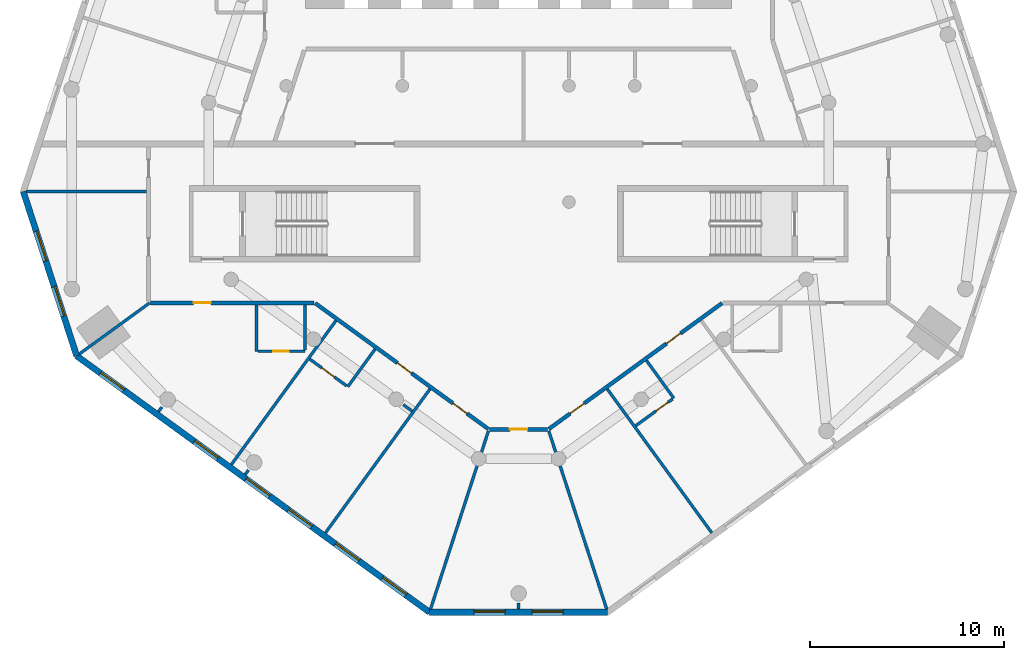
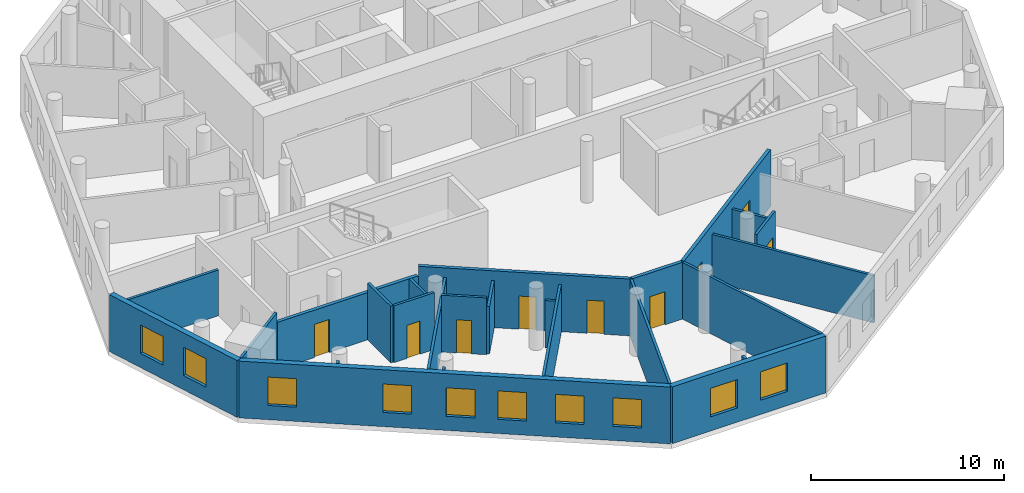
# One storey, part 2 of 9: 25 walls, 10 windows, 9 doors, 19 openings.
"""IFC4 building model written with IfcOpenShell, lengths in metres."""

import ifcopenshell
import ifcopenshell.guid

model = None  # the IFC model being written
_history = None  # IfcOwnerHistory: only IFC2X3 demands one
_inside = {}  # id of a spatial element -> (the spatial element, [elements in it])
_under = {}  # id of a project, library or spatial element -> (it, [spatial elements below it])
_declared = {}  # id of a project -> (the project, [libraries it declares])
_typed = {}  # id of a type object -> (the type object, [elements of that type])
_made_of = {}  # id of a material, layer set ... -> (it, [elements and type objects made of it])


def new_model(schema):
    """Start an empty IFC model of exactly this schema.

    Asked for "IFC4X3", IfcOpenShell would pick the latest addendum, in which some entities
    have other attributes; the version numbers below select the first issue.
    IFC2X3 requires an IfcOwnerHistory on every rooted entity: one is made here for all.
    """
    global model, _history
    if schema == "IFC4X3":
        model = ifcopenshell.file(schema_version=(4, 3, 0, 0))
    else:
        model = ifcopenshell.file(schema=schema)
    _inside.clear()
    _under.clear()
    _declared.clear()
    _typed.clear()
    _made_of.clear()
    _history = None
    if model.schema == "IFC2X3":
        org = make("IfcOrganization", Name="unknown")
        user = make(
            "IfcPersonAndOrganization",
            ThePerson=make("IfcPerson", FamilyName="unknown"),
            TheOrganization=org,
        )
        app = make(
            "IfcApplication",
            ApplicationDeveloper=org,
            Version="unknown",
            ApplicationFullName="unknown",
            ApplicationIdentifier="unknown",
        )
        _history = make(
            "IfcOwnerHistory",
            OwningUser=user,
            OwningApplication=app,
            ChangeAction="ADDED",
            CreationDate=0,
        )
    return model


def make(cls, **values):
    """One entity of the class cls with the attributes given. An attribute that is None is left unset."""
    return model.create_entity(
        cls, **{name: value for name, value in values.items() if value is not None}
    )


def rooted(cls, **values):
    """An entity with a GlobalId (a new one), such as an element, a storey or a relation."""
    return make(cls, GlobalId=ifcopenshell.guid.new(), OwnerHistory=_history, **values)


def si_unit(unit_type, name, prefix=None):
    """IfcSIUnit, for example si_unit("LENGTHUNIT", "METRE", prefix="MILLI")."""
    return make("IfcSIUnit", UnitType=unit_type, Prefix=prefix, Name=name)


def assignment(units):
    """IfcUnitAssignment: the units of a project."""
    return None if units is None else make("IfcUnitAssignment", Units=units)


def point(xyz):
    """IfcCartesianPoint."""
    return None if xyz is None else make("IfcCartesianPoint", Coordinates=xyz)


def direction(xyz):
    """IfcDirection."""
    return None if xyz is None else make("IfcDirection", DirectionRatios=xyz)


def frame(location, z_axis=None, x_axis=None):
    """IfcAxis2Placement3D, a coordinate frame: its origin and axes. An axis left out is left unset."""
    return make(
        "IfcAxis2Placement3D",
        Location=point(location),
        Axis=direction(z_axis),
        RefDirection=direction(x_axis),
    )


def frame_2d(location, x_axis=None):
    """IfcAxis2Placement2D, a coordinate frame in the plane: its origin and x axis."""
    return make(
        "IfcAxis2Placement2D", Location=point(location), RefDirection=direction(x_axis)
    )


def origin():
    """The frame at (0, 0, 0) with its axes left unset."""
    return frame((0.0, 0.0, 0.0))


def place(relative_to, where):
    """IfcLocalPlacement: puts the frame where relative to a parent placement (None: the world)."""
    return make(
        "IfcLocalPlacement", PlacementRelTo=relative_to, RelativePlacement=where
    )


def context(
    kind, dimensions, precision=None, world=None, true_north=None, identifier=None
):
    """IfcGeometricRepresentationContext, for example the 3D "Model" context."""
    return make(
        "IfcGeometricRepresentationContext",
        ContextIdentifier=identifier,
        ContextType=kind,
        CoordinateSpaceDimension=dimensions,
        Precision=precision,
        WorldCoordinateSystem=world,
        TrueNorth=true_north,
    )


def subcontext(parent, identifier, kind, view, scale=None):
    """IfcGeometricRepresentationSubContext, for example "Body" below "Model"."""
    return make(
        "IfcGeometricRepresentationSubContext",
        ContextIdentifier=identifier,
        ContextType=kind,
        ParentContext=parent,
        TargetScale=scale,
        TargetView=view,
    )


def project(units=None, contexts=None):
    """IfcProject with its units and contexts."""
    return rooted(
        "IfcProject",
        Name="project",
        RepresentationContexts=contexts,
        UnitsInContext=assignment(units),
    )


def spatial(cls, under=None, at=None, **own):
    """A site, building, storey or space (cls), placed at a placement, below another one or the project."""
    s = rooted(cls, ObjectPlacement=at, **own)
    if under is not None:
        _under.setdefault(under.id(), (under, []))[1].append(s)
    return s


def profile(cls, at=None, kind="AREA", **sizes):
    """A parametric profile (cls). Its sizes go by their IFC names, for example OverallWidth=200.0."""
    return make(cls, ProfileType=kind, Position=at, **sizes)


def rectangle(**sizes):
    """IfcRectangleProfileDef."""
    return profile("IfcRectangleProfileDef", **sizes)


def extrude(swept, where, along, depth):
    """IfcExtrudedAreaSolid: the profile swept, set in the frame where, extruded along a direction by depth."""
    return make(
        "IfcExtrudedAreaSolid",
        SweptArea=swept,
        Position=where,
        ExtrudedDirection=direction(along),
        Depth=depth,
    )


def shape(context_of_items, identifier, shape_type, items):
    """IfcShapeRepresentation: the items that make up one representation, for example the "Body"."""
    return make(
        "IfcShapeRepresentation",
        ContextOfItems=context_of_items,
        RepresentationIdentifier=identifier,
        RepresentationType=shape_type,
        Items=items,
    )


def material(Name=None, Category=None):
    """IfcMaterial."""
    return make("IfcMaterial", Name=Name, Category=Category)


def layer(
    of_material, thickness, ventilated=None, Name=None, Category=None, Priority=None
):
    """IfcMaterialLayer: one layer of a wall or slab, of a material (None: an air gap)."""
    return make(
        "IfcMaterialLayer",
        Material=of_material,
        LayerThickness=thickness,
        IsVentilated=ventilated,
        Name=Name,
        Category=Category,
        Priority=Priority,
    )


def layer_set(layers, Name=None):
    """IfcMaterialLayerSet."""
    return make("IfcMaterialLayerSet", MaterialLayers=layers, LayerSetName=Name)


def made_of(thing, what):
    """Note that an element or type object is made of a material, layer set ...; save() writes the relation."""
    if what is not None:
        _made_of.setdefault(what.id(), (what, []))[1].append(thing)
    return thing


def type_object(cls, material=None, **own):
    """A type object (cls), such as IfcWallType, which elements share."""
    return made_of(rooted(cls, **own), material)


def element(
    cls,
    number,
    at=None,
    inside=None,
    cuts=None,
    type_object=None,
    material=None,
    context=None,
    identifier="Body",
    shape_type=None,
    held_by="IfcProductDefinitionShape",
    body=None,
    shapes=None,
    **own,
):
    """One element of the class cls, such as IfcWall. Its Tag is "e" and its number.

    at: its placement. inside: the storey or other place that contains it. cuts: it is an
    opening in that element (IfcRelVoidsElement). A single representation is given by context,
    identifier, shape_type and body (its items); several are given by shapes. held_by: the class
    of the entity that holds the representations. save() writes the other relations.
    """
    e = rooted(cls, Tag="e%d" % number, ObjectPlacement=at, **own)
    if body is not None:
        shapes = [shape(context, identifier, shape_type, body)]
    if shapes is not None:
        e.Representation = make(held_by, Representations=shapes)
    if inside is not None:
        _inside.setdefault(inside.id(), (inside, []))[1].append(e)
    if cuts is not None:
        rooted(
            "IfcRelVoidsElement", RelatingBuildingElement=cuts, RelatedOpeningElement=e
        )
    if type_object is not None:
        _typed.setdefault(type_object.id(), (type_object, []))[1].append(e)
    return made_of(e, material)


def fill(opening, filler):
    """IfcRelFillsElement: the door or window that sits in an opening."""
    return rooted(
        "IfcRelFillsElement",
        RelatingOpeningElement=opening,
        RelatedBuildingElement=filler,
    )


def aggregate(whole, parts):
    """IfcRelAggregates: a whole, such as a stair, and the parts it consists of."""
    return rooted("IfcRelAggregates", RelatingObject=whole, RelatedObjects=parts)


def save(model, path):
    """Write the relations noted so far, then the file.

    IfcRelAggregates (storeys below a building ...), IfcRelContainedInSpatialStructure (elements
    in a storey), IfcRelDefinesByType, IfcRelAssociatesMaterial and IfcRelDeclares: one each for
    every whole, place, type object, material and project.
    """
    for whole, parts in _under.values():
        aggregate(whole, parts)
    for where, things in _inside.values():
        rooted(
            "IfcRelContainedInSpatialStructure",
            RelatedElements=things,
            RelatingStructure=where,
        )
    for kind, things in _typed.values():
        rooted("IfcRelDefinesByType", RelatedObjects=things, RelatingType=kind)
    for what, things in _made_of.values():
        rooted("IfcRelAssociatesMaterial", RelatedObjects=things, RelatingMaterial=what)
    for by, libraries in _declared.values():
        rooted("IfcRelDeclares", RelatingContext=by, RelatedDefinitions=libraries)
    model.write(path)


model = new_model("IFC4")

# Units and contexts
model_context = context("Model", 3, precision=1e-05, world=origin(), true_north=direction((0.0, 1.0)))
body_context = subcontext(model_context, "Body", "Model", "MODEL_VIEW")
ifc_project = project(units=[si_unit("LENGTHUNIT", "METRE"), si_unit("AREAUNIT", "SQUARE_METRE"), si_unit("VOLUMEUNIT", "CUBIC_METRE"), si_unit("PLANEANGLEUNIT", "RADIAN"), si_unit("MASSUNIT", "GRAM", prefix="KILO")], contexts=[model_context])

# Site, building, storey
site_placement = place(None, origin())
site = spatial("IfcSite", under=ifc_project, at=site_placement, CompositionType="ELEMENT")
building_placement = place(site_placement, origin())
building = spatial("IfcBuilding", under=site, at=building_placement, Name="White Candle Pilgrim Tower", CompositionType="ELEMENT")
storey_placement = place(building_placement, frame((0.0, 0.0, 118.10009765625)))
storey = spatial("IfcBuildingStorey", under=building, at=storey_placement, Name="L26", CompositionType="ELEMENT", Elevation=118.10009765625)

# Wall, openings, doors
ifc_material_1 = material(Name="Gypsum board on steel studs", Category="steel")
ifc_layer_1 = layer(ifc_material_1, 0.199951171875)
ifc_layer_set_1 = layer_set([ifc_layer_1], Name="Corridor wall 200 mm EI 45")
wall_type_1 = type_object("IfcWallType", Name="Corridor wall 200 mm EI 45", PredefinedType="PARTITIONING", material=ifc_layer_set_1)
wall_1_placement = place(storey_placement, frame((80.49951171875, 55.781005859375, 0.0), z_axis=(0.0, 0.0, 1.0), x_axis=(-0.809011116472, -0.587793342447, 0.0)))
wall_1 = element("IfcWall", 1, at=wall_1_placement, inside=storey, type_object=wall_type_1, Name="WL-L26-P008", PredefinedType="PARTITIONING", context=body_context, shape_type="SweptSolid", body=[
    extrude(rectangle(XDim=11.0517578125, YDim=0.199951171875, at=frame_2d((5.52587890625, 0.0))), origin(), (0.0, 0.0, 1.0), 3.599853515625),
])
opening_1_placement = place(wall_1_placement, frame((8.789794921875, 0.0, 0.0)))
opening_1 = element("IfcOpeningElement", 2, at=opening_1_placement, cuts=wall_1, Name="Opening T08-110", PredefinedType="OPENING", context=body_context, shape_type="SweptSolid", body=[
    extrude(rectangle(XDim=0.89990234375, YDim=2.10009765625, at=frame_2d((0.449951171875, 1.050048828125))), frame((0.0, 0.10986328125, 0.0), z_axis=(0.0, -1.0, 0.0), x_axis=(1.0, 0.0, 0.0)), (0.0, 0.0, 1.0), 0.219970703125),
])
opening_2_placement = place(wall_1_placement, frame((2.6455078125, 0.0, 0.0)))
opening_2 = element("IfcOpeningElement", 3, at=opening_2_placement, cuts=wall_1, Name="Opening T08-112", PredefinedType="OPENING", context=body_context, shape_type="SweptSolid", body=[
    extrude(rectangle(XDim=0.89990234375, YDim=2.10009765625, at=frame_2d((0.449951171875, 1.050048828125))), frame((0.0, 0.10986328125, 0.0), z_axis=(0.0, -1.0, 0.0), x_axis=(1.0, 0.0, 0.0)), (0.0, 0.0, 1.0), 0.219970703125),
])
ifc_material_2 = material(Name="Steel door leaf", Category="steel")
door_type_1 = type_object("IfcDoorType", Name="Fire door 900 x 2100 EI 30", OperationType="NOTDEFINED", PredefinedType="DOOR", material=ifc_material_2)
door_1_placement = place(opening_1_placement, origin())
door_1 = element("IfcDoor", 4, at=door_1_placement, inside=storey, type_object=door_type_1, Name="Door T08-110", OperationType="SINGLE_SWING_RIGHT", OverallHeight=2.10009765625, OverallWidth=0.89990234375, PredefinedType="DOOR", context=body_context, shape_type="SweptSolid", body=[
    extrude(rectangle(XDim=0.89990234375, YDim=2.10009765625, at=frame_2d((0.449951171875, 1.050048828125))), frame((0.0, 0.02490234375, 0.0), z_axis=(0.0, -1.0, 0.0), x_axis=(1.0, 0.0, 0.0)), (0.0, 0.0, 1.0), 0.050048828125),
])
fill(opening_1, door_1)
door_2_placement = place(opening_2_placement, origin())
door_2 = element("IfcDoor", 5, at=door_2_placement, inside=storey, type_object=door_type_1, Name="Door T08-112", OperationType="SINGLE_SWING_RIGHT", OverallHeight=2.10009765625, OverallWidth=0.89990234375, PredefinedType="DOOR", context=body_context, shape_type="SweptSolid", body=[
    extrude(rectangle(XDim=0.89990234375, YDim=2.10009765625, at=frame_2d((0.449951171875, 1.050048828125))), frame((0.0, 0.02490234375, 0.0), z_axis=(0.0, -1.0, 0.0), x_axis=(1.0, 0.0, 0.0)), (0.0, 0.0, 1.0), 0.050048828125),
])
fill(opening_2, door_2)

# Wall, opening, door
wall_2_placement = place(storey_placement, frame((71.499755859375, 49.265869140625, 0.0), z_axis=(0.0, 0.0, 1.0), x_axis=(-1.0, 0.0, 0.0)))
wall_2 = element("IfcWall", 6, at=wall_2_placement, inside=storey, type_object=wall_type_1, Name="WL-L26-P009", PredefinedType="PARTITIONING", context=body_context, shape_type="SweptSolid", body=[
    extrude(rectangle(XDim=2.99951171875, YDim=0.199951171875, at=frame_2d((1.499755859375, 0.0))), origin(), (0.0, 0.0, 1.0), 3.599853515625),
])
opening_3_placement = place(wall_2_placement, frame((1.0498046875, 0.0, 0.0)))
opening_3 = element("IfcOpeningElement", 7, at=opening_3_placement, cuts=wall_2, Name="Opening T08-109", PredefinedType="OPENING", context=body_context, shape_type="SweptSolid", body=[
    extrude(rectangle(XDim=0.89990234375, YDim=2.10009765625, at=frame_2d((0.449951171875, 1.050048828125))), frame((0.0, 0.10986328125, 0.0), z_axis=(0.0, -1.0, 0.0), x_axis=(1.0, 0.0, 0.0)), (0.0, 0.0, 1.0), 0.219970703125),
])
door_3_placement = place(opening_3_placement, origin())
door_3 = element("IfcDoor", 8, at=door_3_placement, inside=storey, type_object=door_type_1, Name="Door T08-109", OperationType="SINGLE_SWING_LEFT", OverallHeight=2.10009765625, OverallWidth=0.89990234375, PredefinedType="DOOR", context=body_context, shape_type="SweptSolid", body=[
    extrude(rectangle(XDim=0.89990234375, YDim=2.10009765625, at=frame_2d((0.449951171875, 1.050048828125))), frame((0.0, 0.02490234375, 0.0), z_axis=(0.0, -1.0, 0.0), x_axis=(1.0, 0.0, 0.0)), (0.0, 0.0, 1.0), 0.050048828125),
])
fill(opening_3, door_3)

# Wall, openings, doors
wall_3_placement = place(storey_placement, frame((68.44140625, 49.284912109375, 0.0), z_axis=(0.0, 0.0, 1.0), x_axis=(-0.809011116472, 0.587793342447, 0.0)))
wall_3 = element("IfcWall", 9, at=wall_3_placement, inside=storey, type_object=wall_type_1, Name="WL-L26-P010", PredefinedType="PARTITIONING", context=body_context, shape_type="SweptSolid", body=[
    extrude(rectangle(XDim=11.0517578125, YDim=0.199951171875, at=frame_2d((5.52587890625, 0.0))), origin(), (0.0, 0.0, 1.0), 3.599853515625),
])
opening_4_placement = place(wall_3_placement, frame((4.906005859375, 0.0, 0.0)))
opening_4 = element("IfcOpeningElement", 10, at=opening_4_placement, cuts=wall_3, Name="Opening T08-107", PredefinedType="OPENING", context=body_context, shape_type="SweptSolid", body=[
    extrude(rectangle(XDim=0.89990234375, YDim=2.10009765625, at=frame_2d((0.449951171875, 1.050048828125))), frame((0.0, 0.10986328125, 0.0), z_axis=(0.0, -1.0, 0.0), x_axis=(1.0, 0.0, 0.0)), (0.0, 0.0, 1.0), 0.219970703125),
])
opening_5_placement = place(wall_3_placement, frame((1.36181640625, 0.0, 0.0)))
opening_5 = element("IfcOpeningElement", 11, at=opening_5_placement, cuts=wall_3, Name="Opening T08-108", PredefinedType="OPENING", context=body_context, shape_type="SweptSolid", body=[
    extrude(rectangle(XDim=0.89990234375, YDim=2.10009765625, at=frame_2d((0.449951171875, 1.050048828125))), frame((0.0, 0.10986328125, 0.0), z_axis=(0.0, -1.0, 0.0), x_axis=(1.0, 0.0, 0.0)), (0.0, 0.0, 1.0), 0.219970703125),
])
door_4_placement = place(opening_4_placement, origin())
door_4 = element("IfcDoor", 12, at=door_4_placement, inside=storey, type_object=door_type_1, Name="Door T08-107", OperationType="SINGLE_SWING_LEFT", OverallHeight=2.10009765625, OverallWidth=0.89990234375, PredefinedType="DOOR", context=body_context, shape_type="SweptSolid", body=[
    extrude(rectangle(XDim=0.89990234375, YDim=2.10009765625, at=frame_2d((0.449951171875, 1.050048828125))), frame((0.0, 0.02490234375, 0.0), z_axis=(0.0, -1.0, 0.0), x_axis=(1.0, 0.0, 0.0)), (0.0, 0.0, 1.0), 0.050048828125),
])
fill(opening_4, door_4)
door_5_placement = place(opening_5_placement, origin())
door_5 = element("IfcDoor", 13, at=door_5_placement, inside=storey, type_object=door_type_1, Name="Door T08-108", OperationType="SINGLE_SWING_RIGHT", OverallHeight=2.10009765625, OverallWidth=0.89990234375, PredefinedType="DOOR", context=body_context, shape_type="SweptSolid", body=[
    extrude(rectangle(XDim=0.89990234375, YDim=2.10009765625, at=frame_2d((0.449951171875, 1.050048828125))), frame((0.0, 0.02490234375, 0.0), z_axis=(0.0, -1.0, 0.0), x_axis=(1.0, 0.0, 0.0)), (0.0, 0.0, 1.0), 0.050048828125),
])
fill(opening_5, door_5)

# Wall, opening, door
wall_4_placement = place(storey_placement, frame((59.44189453125, 55.800048828125, 0.0), z_axis=(0.0, 0.0, 1.0), x_axis=(-1.0, 0.0, 0.0)))
wall_4 = element("IfcWall", 14, at=wall_4_placement, inside=storey, type_object=wall_type_1, Name="WL-L26-P011", PredefinedType="PARTITIONING", context=body_context, shape_type="SweptSolid", body=[
    extrude(rectangle(XDim=8.44189453125, YDim=0.199951171875, at=frame_2d((4.220947265625, 0.0))), origin(), (0.0, 0.0, 1.0), 3.0),
])
opening_6_placement = place(wall_4_placement, frame((5.3232421875, 0.0, 0.0)))
opening_6 = element("IfcOpeningElement", 15, at=opening_6_placement, cuts=wall_4, Name="Opening T08-105", PredefinedType="OPENING", context=body_context, shape_type="SweptSolid", body=[
    extrude(rectangle(XDim=0.89990234375, YDim=2.10009765625, at=frame_2d((0.449951171875, 1.050048828125))), frame((0.0, 0.10986328125, 0.0), z_axis=(0.0, -1.0, 0.0), x_axis=(1.0, 0.0, 0.0)), (0.0, 0.0, 1.0), 0.219970703125),
])
door_6_placement = place(opening_6_placement, origin())
door_6 = element("IfcDoor", 16, at=door_6_placement, inside=storey, type_object=door_type_1, Name="Door T08-105", OperationType="SINGLE_SWING_LEFT", OverallHeight=2.10009765625, OverallWidth=0.89990234375, PredefinedType="DOOR", context=body_context, shape_type="SweptSolid", body=[
    extrude(rectangle(XDim=0.89990234375, YDim=2.10009765625, at=frame_2d((0.449951171875, 1.050048828125))), frame((0.0, 0.02490234375, 0.0), z_axis=(0.0, -1.0, 0.0), x_axis=(1.0, 0.0, 0.0)), (0.0, 0.0, 1.0), 0.050048828125),
])
fill(opening_6, door_6)

# Wall, openings, windows
ifc_material_3 = material(Name="Precast concrete C40/50", Category="concrete")
ifc_layer_2 = layer(ifc_material_3, 0.320068359375)
ifc_layer_set_2 = layer_set([ifc_layer_2], Name="Facade wall EW1 precast concrete C40/50 pier wall with timber-lined reveals")
wall_type_2 = type_object("IfcWallType", Name="Facade wall EW1 precast concrete C40/50 pier wall with timber-lined reveals", PredefinedType="SOLIDWALL", material=ifc_layer_set_2)
wall_5_placement = place(storey_placement, frame((44.431396484375, 61.54296875, 0.0), z_axis=(0.0, 0.0, 1.0), x_axis=(0.309002538333, -0.951061213227, 0.0)))
wall_5 = element("IfcWall", 17, at=wall_5_placement, inside=storey, type_object=wall_type_2, Name="Facade wall L26 W chamfer", PredefinedType="SOLIDWALL", context=body_context, shape_type="SweptSolid", body=[
    extrude(rectangle(XDim=8.921630859375, YDim=0.320068359375, at=frame_2d((4.4609375, 0.0))), origin(), (0.0, 0.0, 1.0), 3.599853515625),
])
opening_7_placement = place(wall_5_placement, frame((2.160888671875, 0.0, 0.89990234375)))
opening_7 = element("IfcOpeningElement", 18, at=opening_7_placement, cuts=wall_5, Name="Opening W2", PredefinedType="OPENING", context=body_context, shape_type="SweptSolid", body=[
    extrude(rectangle(XDim=1.60009765625, YDim=1.800048828125, at=frame_2d((0.800048828125, 0.89990234375))), frame((0.0, 0.169921875, 0.0), z_axis=(0.0, -1.0, 0.0), x_axis=(1.0, 0.0, 0.0)), (0.0, 0.0, 1.0), 0.340087890625),
])
opening_8_placement = place(wall_5_placement, frame((5.160888671875, 0.0, 0.89990234375)))
opening_8 = element("IfcOpeningElement", 19, at=opening_8_placement, cuts=wall_5, Name="Opening W2", PredefinedType="OPENING", context=body_context, shape_type="SweptSolid", body=[
    extrude(rectangle(XDim=1.60009765625, YDim=1.800048828125, at=frame_2d((0.800048828125, 0.89990234375))), frame((0.0, 0.169921875, 0.0), z_axis=(0.0, -1.0, 0.0), x_axis=(1.0, 0.0, 0.0)), (0.0, 0.0, 1.0), 0.340087890625),
])
ifc_material_4 = material(Name="Timber frame with triple glazing", Category="wood")
window_type_1 = type_object("IfcWindowType", Name="Window W2 1600x1800 timber frame triple glazing", PartitioningType="SINGLE_PANEL", PredefinedType="WINDOW", material=ifc_material_4)
window_1_placement = place(opening_7_placement, origin())
window_1 = element("IfcWindow", 20, at=window_1_placement, inside=storey, type_object=window_type_1, Name="Window W2 L26 W chamfer 1", OverallHeight=1.800048828125, OverallWidth=1.60009765625, PartitioningType="SINGLE_PANEL", PredefinedType="WINDOW", context=body_context, shape_type="SweptSolid", body=[
    extrude(rectangle(XDim=1.60009765625, YDim=1.800048828125, at=frame_2d((0.800048828125, 0.89990234375))), frame((0.0, 0.070068359375, 0.0), z_axis=(0.0, -1.0, 0.0), x_axis=(1.0, 0.0, 0.0)), (0.0, 0.0, 1.0), 0.06005859375),
])
fill(opening_7, window_1)
window_2_placement = place(opening_8_placement, origin())
window_2 = element("IfcWindow", 21, at=window_2_placement, inside=storey, type_object=window_type_1, Name="Window W2 L26 W chamfer 2", OverallHeight=1.800048828125, OverallWidth=1.60009765625, PartitioningType="SINGLE_PANEL", PredefinedType="WINDOW", context=body_context, shape_type="SweptSolid", body=[
    extrude(rectangle(XDim=1.60009765625, YDim=1.800048828125, at=frame_2d((0.800048828125, 0.89990234375))), frame((0.0, 0.070068359375, 0.0), z_axis=(0.0, -1.0, 0.0), x_axis=(1.0, 0.0, 0.0)), (0.0, 0.0, 1.0), 0.06005859375),
])
fill(opening_8, window_2)

wall_6_placement = place(storey_placement, frame((47.188232421875, 53.057861328125, 0.0), z_axis=(0.0, 0.0, 1.0), x_axis=(0.809016442358, -0.587786012077, 0.0)))
wall_6 = element("IfcWall", 22, at=wall_6_placement, inside=storey, type_object=wall_type_2, Name="Facade wall L26 SW", PredefinedType="SOLIDWALL", context=body_context, shape_type="SweptSolid", body=[
    extrude(rectangle(XDim=22.511474609375, YDim=0.320068359375, at=frame_2d((11.255859375, 0.0))), origin(), (0.0, 0.0, 1.0), 3.599853515625),
])
opening_9_placement = place(wall_6_placement, frame((1.505615234375, 0.0, 0.89990234375)))
opening_9 = element("IfcOpeningElement", 23, at=opening_9_placement, cuts=wall_6, Name="Opening W1", PredefinedType="OPENING", context=body_context, shape_type="SweptSolid", body=[
    extrude(rectangle(XDim=1.5, YDim=1.800048828125, at=frame_2d((0.75, 0.89990234375))), frame((0.0, 0.169921875, 0.0), z_axis=(0.0, -1.0, 0.0), x_axis=(1.0, 0.0, 0.0)), (0.0, 0.0, 1.0), 0.340087890625),
])
opening_10_placement = place(wall_6_placement, frame((7.505615234375, 0.0, 0.89990234375)))
opening_10 = element("IfcOpeningElement", 24, at=opening_10_placement, cuts=wall_6, Name="Opening W1", PredefinedType="OPENING", context=body_context, shape_type="SweptSolid", body=[
    extrude(rectangle(XDim=1.5, YDim=1.800048828125, at=frame_2d((0.75, 0.89990234375))), frame((0.0, 0.169921875, 0.0), z_axis=(0.0, -1.0, 0.0), x_axis=(1.0, 0.0, 0.0)), (0.0, 0.0, 1.0), 0.340087890625),
])
opening_11_placement = place(wall_6_placement, frame((10.80859375, 0.0, 0.89990234375)))
opening_11 = element("IfcOpeningElement", 25, at=opening_11_placement, cuts=wall_6, Name="Opening W1", PredefinedType="OPENING", context=body_context, shape_type="SweptSolid", body=[
    extrude(rectangle(XDim=1.5, YDim=1.800048828125, at=frame_2d((0.75, 0.89990234375))), frame((0.0, 0.169921875, 0.0), z_axis=(0.0, -1.0, 0.0), x_axis=(1.0, 0.0, 0.0)), (0.0, 0.0, 1.0), 0.340087890625),
])
opening_12_placement = place(wall_6_placement, frame((13.505615234375, 0.0, 0.89990234375)))
opening_12 = element("IfcOpeningElement", 26, at=opening_12_placement, cuts=wall_6, Name="Opening W1", PredefinedType="OPENING", context=body_context, shape_type="SweptSolid", body=[
    extrude(rectangle(XDim=1.5, YDim=1.800048828125, at=frame_2d((0.75, 0.89990234375))), frame((0.0, 0.169921875, 0.0), z_axis=(0.0, -1.0, 0.0), x_axis=(1.0, 0.0, 0.0)), (0.0, 0.0, 1.0), 0.340087890625),
])
opening_13_placement = place(wall_6_placement, frame((16.505615234375, 0.0, 0.89990234375)))
opening_13 = element("IfcOpeningElement", 27, at=opening_13_placement, cuts=wall_6, Name="Opening W1", PredefinedType="OPENING", context=body_context, shape_type="SweptSolid", body=[
    extrude(rectangle(XDim=1.5, YDim=1.800048828125, at=frame_2d((0.75, 0.89990234375))), frame((0.0, 0.169921875, 0.0), z_axis=(0.0, -1.0, 0.0), x_axis=(1.0, 0.0, 0.0)), (0.0, 0.0, 1.0), 0.340087890625),
])
opening_14_placement = place(wall_6_placement, frame((19.505615234375, 0.0, 0.89990234375)))
opening_14 = element("IfcOpeningElement", 28, at=opening_14_placement, cuts=wall_6, Name="Opening W1", PredefinedType="OPENING", context=body_context, shape_type="SweptSolid", body=[
    extrude(rectangle(XDim=1.5, YDim=1.800048828125, at=frame_2d((0.75, 0.89990234375))), frame((0.0, 0.169921875, 0.0), z_axis=(0.0, -1.0, 0.0), x_axis=(1.0, 0.0, 0.0)), (0.0, 0.0, 1.0), 0.340087890625),
])
window_type_2 = type_object("IfcWindowType", Name="Window W1 1500x1800 timber frame triple glazing", PartitioningType="SINGLE_PANEL", PredefinedType="WINDOW", material=ifc_material_4)
window_3_placement = place(opening_9_placement, origin())
window_3 = element("IfcWindow", 29, at=window_3_placement, inside=storey, type_object=window_type_2, Name="Window W1 L26 SW 1", OverallHeight=1.800048828125, OverallWidth=1.5, PartitioningType="SINGLE_PANEL", PredefinedType="WINDOW", context=body_context, shape_type="SweptSolid", body=[
    extrude(rectangle(XDim=1.5, YDim=1.800048828125, at=frame_2d((0.75, 0.89990234375))), frame((0.0, 0.070068359375, 0.0), z_axis=(0.0, -1.0, 0.0), x_axis=(1.0, 0.0, 0.0)), (0.0, 0.0, 1.0), 0.06005859375),
])
fill(opening_9, window_3)
window_4_placement = place(opening_10_placement, origin())
window_4 = element("IfcWindow", 30, at=window_4_placement, inside=storey, type_object=window_type_2, Name="Window W1 L26 SW 3", OverallHeight=1.800048828125, OverallWidth=1.5, PartitioningType="SINGLE_PANEL", PredefinedType="WINDOW", context=body_context, shape_type="SweptSolid", body=[
    extrude(rectangle(XDim=1.5, YDim=1.800048828125, at=frame_2d((0.75, 0.89990234375))), frame((0.0, 0.070068359375, 0.0), z_axis=(0.0, -1.0, 0.0), x_axis=(1.0, 0.0, 0.0)), (0.0, 0.0, 1.0), 0.06005859375),
])
fill(opening_10, window_4)
window_5_placement = place(opening_11_placement, origin())
window_5 = element("IfcWindow", 31, at=window_5_placement, inside=storey, type_object=window_type_2, Name="Window W1 L26 SW 4", OverallHeight=1.800048828125, OverallWidth=1.5, PartitioningType="SINGLE_PANEL", PredefinedType="WINDOW", context=body_context, shape_type="SweptSolid", body=[
    extrude(rectangle(XDim=1.5, YDim=1.800048828125, at=frame_2d((0.75, 0.89990234375))), frame((0.0, 0.070068359375, 0.0), z_axis=(0.0, -1.0, 0.0), x_axis=(1.0, 0.0, 0.0)), (0.0, 0.0, 1.0), 0.06005859375),
])
fill(opening_11, window_5)
window_6_placement = place(opening_12_placement, origin())
window_6 = element("IfcWindow", 32, at=window_6_placement, inside=storey, type_object=window_type_2, Name="Window W1 L26 SW 5", OverallHeight=1.800048828125, OverallWidth=1.5, PartitioningType="SINGLE_PANEL", PredefinedType="WINDOW", context=body_context, shape_type="SweptSolid", body=[
    extrude(rectangle(XDim=1.5, YDim=1.800048828125, at=frame_2d((0.75, 0.89990234375))), frame((0.0, 0.070068359375, 0.0), z_axis=(0.0, -1.0, 0.0), x_axis=(1.0, 0.0, 0.0)), (0.0, 0.0, 1.0), 0.06005859375),
])
fill(opening_12, window_6)
window_7_placement = place(opening_13_placement, origin())
window_7 = element("IfcWindow", 33, at=window_7_placement, inside=storey, type_object=window_type_2, Name="Window W1 L26 SW 6", OverallHeight=1.800048828125, OverallWidth=1.5, PartitioningType="SINGLE_PANEL", PredefinedType="WINDOW", context=body_context, shape_type="SweptSolid", body=[
    extrude(rectangle(XDim=1.5, YDim=1.800048828125, at=frame_2d((0.75, 0.89990234375))), frame((0.0, 0.070068359375, 0.0), z_axis=(0.0, -1.0, 0.0), x_axis=(1.0, 0.0, 0.0)), (0.0, 0.0, 1.0), 0.06005859375),
])
fill(opening_13, window_7)
window_8_placement = place(opening_14_placement, origin())
window_8 = element("IfcWindow", 34, at=window_8_placement, inside=storey, type_object=window_type_2, Name="Window W1 L26 SW 7", OverallHeight=1.800048828125, OverallWidth=1.5, PartitioningType="SINGLE_PANEL", PredefinedType="WINDOW", context=body_context, shape_type="SweptSolid", body=[
    extrude(rectangle(XDim=1.5, YDim=1.800048828125, at=frame_2d((0.75, 0.89990234375))), frame((0.0, 0.070068359375, 0.0), z_axis=(0.0, -1.0, 0.0), x_axis=(1.0, 0.0, 0.0)), (0.0, 0.0, 1.0), 0.06005859375),
])
fill(opening_14, window_8)

wall_7_placement = place(storey_placement, frame((65.400390625, 39.825927734375, 0.0), z_axis=(0.0, 0.0, 1.0), x_axis=(1.0, 0.0, 0.0)))
wall_7 = element("IfcWall", 35, at=wall_7_placement, inside=storey, type_object=wall_type_2, Name="Facade wall L26 S chamfer", PredefinedType="SOLIDWALL", context=body_context, shape_type="SweptSolid", body=[
    extrude(rectangle(XDim=9.19921875, YDim=0.320068359375, at=frame_2d((4.599609375, 0.0))), origin(), (0.0, 0.0, 1.0), 3.599853515625),
])
opening_15_placement = place(wall_7_placement, frame((2.299560546875, 0.0, 0.89990234375)))
opening_15 = element("IfcOpeningElement", 36, at=opening_15_placement, cuts=wall_7, Name="Opening W2", PredefinedType="OPENING", context=body_context, shape_type="SweptSolid", body=[
    extrude(rectangle(XDim=1.60009765625, YDim=1.800048828125, at=frame_2d((0.800048828125, 0.89990234375))), frame((0.0, 0.169921875, 0.0), z_axis=(0.0, -1.0, 0.0), x_axis=(1.0, 0.0, 0.0)), (0.0, 0.0, 1.0), 0.340087890625),
])
opening_16_placement = place(wall_7_placement, frame((5.299560546875, 0.0, 0.89990234375)))
opening_16 = element("IfcOpeningElement", 37, at=opening_16_placement, cuts=wall_7, Name="Opening W2", PredefinedType="OPENING", context=body_context, shape_type="SweptSolid", body=[
    extrude(rectangle(XDim=1.60009765625, YDim=1.800048828125, at=frame_2d((0.800048828125, 0.89990234375))), frame((0.0, 0.169921875, 0.0), z_axis=(0.0, -1.0, 0.0), x_axis=(1.0, 0.0, 0.0)), (0.0, 0.0, 1.0), 0.340087890625),
])
window_9_placement = place(opening_15_placement, origin())
window_9 = element("IfcWindow", 38, at=window_9_placement, inside=storey, type_object=window_type_1, Name="Window W2 L26 S chamfer 1", OverallHeight=1.800048828125, OverallWidth=1.60009765625, PartitioningType="SINGLE_PANEL", PredefinedType="WINDOW", context=body_context, shape_type="SweptSolid", body=[
    extrude(rectangle(XDim=1.60009765625, YDim=1.800048828125, at=frame_2d((0.800048828125, 0.89990234375))), frame((0.0, 0.070068359375, 0.0), z_axis=(0.0, -1.0, 0.0), x_axis=(1.0, 0.0, 0.0)), (0.0, 0.0, 1.0), 0.06005859375),
])
fill(opening_15, window_9)
window_10_placement = place(opening_16_placement, origin())
window_10 = element("IfcWindow", 39, at=window_10_placement, inside=storey, type_object=window_type_1, Name="Window W2 L26 S chamfer 2", OverallHeight=1.800048828125, OverallWidth=1.60009765625, PartitioningType="SINGLE_PANEL", PredefinedType="WINDOW", context=body_context, shape_type="SweptSolid", body=[
    extrude(rectangle(XDim=1.60009765625, YDim=1.800048828125, at=frame_2d((0.800048828125, 0.89990234375))), frame((0.0, 0.070068359375, 0.0), z_axis=(0.0, -1.0, 0.0), x_axis=(1.0, 0.0, 0.0)), (0.0, 0.0, 1.0), 0.06005859375),
])
fill(opening_16, window_10)

# Walls
ifc_layer_3 = layer(ifc_material_1, 0.14990234375)
ifc_layer_set_3 = layer_set([ifc_layer_3], Name="Partition 150 mm EI 60")
wall_type_3 = type_object("IfcWallType", Name="Partition 150 mm EI 60", PredefinedType="PARTITIONING", material=ifc_layer_set_3)
wall_8_placement = place(storey_placement, frame((44.599609375, 61.54296875, 0.0), z_axis=(0.0, 0.0, 1.0), x_axis=(1.0, 0.0, 0.0)))
element("IfcWall", 40, at=wall_8_placement, inside=storey, type_object=wall_type_3, Name="WL-L26-P017", PredefinedType="PARTITIONING", context=body_context, shape_type="SweptSolid", body=[
    extrude(rectangle(XDim=6.200439453125, YDim=0.14990234375, at=frame_2d((3.10009765625, 0.0))), origin(), (0.0, 0.0, 1.0), 2.89990234375),
])
wall_9_placement = place(storey_placement, frame((47.324462890625, 53.15673828125, 0.0), z_axis=(0.0, 0.0, 1.0), x_axis=(0.809006482004, 0.587799721058, 0.0)))
element("IfcWall", 41, at=wall_9_placement, inside=storey, type_object=wall_type_3, Name="WL-L26-P018", PredefinedType="PARTITIONING", context=body_context, shape_type="SweptSolid", body=[
    extrude(rectangle(XDim=4.48876953125, YDim=0.14990234375, at=frame_2d((2.244384765625, 0.0))), origin(), (0.0, 0.0, 1.0), 3.599853515625),
])
for number, where, z_axis, x_axis, name in (
    (42, (65.452392578125, 39.98583984375, 0.0), (0.0, 0.0, 1.0), (0.309017584441, 0.951056324571, 0.0), "WL-L26-P019"),
    (43, (74.547607421875, 39.98583984375, 0.0), (0.0, 0.0, 1.0), (-0.309017584441, 0.951056324571, 0.0), "WL-L26-P020"),
):
    element("IfcWall", number, at=place(storey_placement, frame(where, z_axis=z_axis, x_axis=x_axis)), inside=storey, type_object=wall_type_3, Name=name, PredefinedType="PARTITIONING", context=body_context, shape_type="SweptSolid", body=[
        extrude(rectangle(XDim=9.672607421875, YDim=0.14990234375, at=frame_2d((4.83642578125, 0.0))), origin(), (0.0, 0.0, 1.0), 3.599853515625),
    ])
wall_10_placement = place(storey_placement, frame((55.1748046875, 47.452880859375, 0.0), z_axis=(0.0, 0.0, 1.0), x_axis=(0.587795283542, 0.809009706151, 0.0)))
element("IfcWall", 44, at=wall_10_placement, inside=storey, type_object=wall_type_3, Name="WL-L26-P033", PredefinedType="PARTITIONING", context=body_context, shape_type="SweptSolid", body=[
    extrude(rectangle(XDim=9.18017578125, YDim=0.14990234375, at=frame_2d((4.590087890625, 0.0))), origin(), (0.0, 0.0, 1.0), 3.0),
])
wall_11_placement = place(storey_placement, frame((60.029052734375, 43.92626953125, 0.0), z_axis=(0.0, 0.0, 1.0), x_axis=(0.587777877013, 0.809022352778, 0.0)))
element("IfcWall", 45, at=wall_11_placement, inside=storey, type_object=wall_type_3, Name="WL-L26-P034", PredefinedType="PARTITIONING", context=body_context, shape_type="SweptSolid", body=[
    extrude(rectangle(XDim=9.179931640625, YDim=0.14990234375, at=frame_2d((4.58984375, 0.0))), origin(), (0.0, 0.0, 1.0), 3.0),
])
wall_12_placement = place(storey_placement, frame((56.474365234375, 55.699951171875, 0.0), z_axis=(0.0, 0.0, 1.0), x_axis=(0.0, -1.0, 0.0)))
element("IfcWall", 46, at=wall_12_placement, inside=storey, type_object=wall_type_3, Name="WL-L26-P035", PredefinedType="PARTITIONING", context=body_context, shape_type="SweptSolid", body=[
    extrude(rectangle(XDim=2.39990234375, YDim=0.14990234375, at=frame_2d((1.199951171875, 0.0))), origin(), (0.0, 0.0, 1.0), 3.599853515625),
])

# Wall, opening, door
wall_13_placement = place(storey_placement, frame((58.974365234375, 53.300048828125, 0.0), z_axis=(0.0, 0.0, 1.0), x_axis=(-1.0, 0.0, 0.0)))
wall_13 = element("IfcWall", 47, at=wall_13_placement, inside=storey, type_object=wall_type_3, Name="WL-L26-P036", PredefinedType="PARTITIONING", context=body_context, shape_type="SweptSolid", body=[
    extrude(rectangle(XDim=2.425048828125, YDim=0.14990234375, at=frame_2d((1.21240234375, 0.0))), origin(), (0.0, 0.0, 1.0), 3.599853515625),
])
opening_17_placement = place(wall_13_placement, frame((0.85009765625, 0.0, 0.0)))
opening_17 = element("IfcOpeningElement", 48, at=opening_17_placement, cuts=wall_13, Name="Opening T08-104", PredefinedType="OPENING", context=body_context, shape_type="SweptSolid", body=[
    extrude(rectangle(XDim=0.800048828125, YDim=2.10009765625, at=frame_2d((0.39990234375, 1.050048828125))), frame((0.0, 0.0849609375, 0.0), z_axis=(0.0, -1.0, 0.0), x_axis=(1.0, 0.0, 0.0)), (0.0, 0.0, 1.0), 0.169921875),
])
door_type_2 = type_object("IfcDoorType", Name="Fire door 800 x 2100 EI 30", OperationType="NOTDEFINED", PredefinedType="DOOR", material=ifc_material_2)
door_7_placement = place(opening_17_placement, origin())
door_7 = element("IfcDoor", 49, at=door_7_placement, inside=storey, type_object=door_type_2, Name="Door T08-104", OperationType="SINGLE_SWING_RIGHT", OverallHeight=2.10009765625, OverallWidth=0.800048828125, PredefinedType="DOOR", context=body_context, shape_type="SweptSolid", body=[
    extrude(rectangle(XDim=0.800048828125, YDim=2.10009765625, at=frame_2d((0.39990234375, 1.050048828125))), frame((0.0, 0.02490234375, 0.0), z_axis=(0.0, -1.0, 0.0), x_axis=(1.0, 0.0, 0.0)), (0.0, 0.0, 1.0), 0.050048828125),
])
fill(opening_17, door_7)

# Walls
wall_14_placement = place(storey_placement, frame((58.974365234375, 55.699951171875, 0.0), z_axis=(0.0, 0.0, 1.0), x_axis=(0.0, -1.0, 0.0)))
element("IfcWall", 50, at=wall_14_placement, inside=storey, type_object=wall_type_3, Name="WL-L26-P037", PredefinedType="PARTITIONING", context=body_context, shape_type="SweptSolid", body=[
    extrude(rectangle(XDim=2.324951171875, YDim=0.14990234375, at=frame_2d((1.16259765625, 0.0))), origin(), (0.0, 0.0, 1.0), 3.0),
])
wall_15_placement = place(storey_placement, frame((62.59326171875, 53.410400390625, 0.0), z_axis=(0.0, 0.0, 1.0), x_axis=(-0.587724050354, -0.809061456649, 0.0)))
element("IfcWall", 51, at=wall_15_placement, inside=storey, type_object=wall_type_3, Name="WL-L26-P038", PredefinedType="PARTITIONING", context=body_context, shape_type="SweptSolid", body=[
    extrude(rectangle(XDim=2.400146484375, YDim=0.14990234375, at=frame_2d((1.2001953125, 0.0))), origin(), (0.0, 0.0, 1.0), 3.0),
])

# Wall, opening, door
wall_16_placement = place(storey_placement, frame((59.220703125, 52.89404296875, 0.0), z_axis=(0.0, 0.0, 1.0), x_axis=(0.809032466197, -0.587763956567, 0.0)))
wall_16 = element("IfcWall", 52, at=wall_16_placement, inside=storey, type_object=wall_type_3, Name="WL-L26-P039", PredefinedType="PARTITIONING", context=body_context, shape_type="SweptSolid", body=[
    extrude(rectangle(XDim=2.35009765625, YDim=0.14990234375, at=frame_2d((1.175048828125, 0.0))), origin(), (0.0, 0.0, 1.0), 3.599853515625),
])
opening_18_placement = place(wall_16_placement, frame((0.77490234375, 0.0, 0.0)))
opening_18 = element("IfcOpeningElement", 53, at=opening_18_placement, cuts=wall_16, Name="Opening T08-106", PredefinedType="OPENING", context=body_context, shape_type="SweptSolid", body=[
    extrude(rectangle(XDim=0.800048828125, YDim=2.10009765625, at=frame_2d((0.39990234375, 1.050048828125))), frame((0.0, 0.0849609375, 0.0), z_axis=(0.0, -1.0, 0.0), x_axis=(1.0, 0.0, 0.0)), (0.0, 0.0, 1.0), 0.169921875),
])
door_8_placement = place(opening_18_placement, frame((0.800048828125, 0.0, 0.0), z_axis=(0.0, 0.0, 1.0), x_axis=(-1.0, 0.0, 0.0)))
door_8 = element("IfcDoor", 54, at=door_8_placement, inside=storey, type_object=door_type_2, Name="Door T08-106", OperationType="SINGLE_SWING_LEFT", OverallHeight=2.10009765625, OverallWidth=0.800048828125, PredefinedType="DOOR", context=body_context, shape_type="SweptSolid", body=[
    extrude(rectangle(XDim=0.800048828125, YDim=2.10009765625, at=frame_2d((0.39990234375, 1.050048828125))), frame((0.0, 0.02490234375, 0.0), z_axis=(0.0, -1.0, 0.0), x_axis=(1.0, 0.0, 0.0)), (0.0, 0.0, 1.0), 0.050048828125),
])
fill(opening_18, door_8)

# Walls
wall_17_placement = place(storey_placement, frame((79.970947265625, 43.92626953125, 0.0), z_axis=(0.0, 0.0, 1.0), x_axis=(-0.587777877013, 0.809022352778, 0.0)))
element("IfcWall", 55, at=wall_17_placement, inside=storey, type_object=wall_type_3, Name="WL-L26-P040", PredefinedType="PARTITIONING", context=body_context, shape_type="SweptSolid", body=[
    extrude(rectangle(XDim=9.179931640625, YDim=0.14990234375, at=frame_2d((4.58984375, 0.0))), origin(), (0.0, 0.0, 1.0), 3.0),
])
wall_18_placement = place(storey_placement, frame((76.59765625, 52.822509765625, 0.0), z_axis=(0.0, 0.0, 1.0), x_axis=(0.587772420479, -0.809026317077, 0.0)))
element("IfcWall", 56, at=wall_18_placement, inside=storey, type_object=wall_type_3, Name="WL-L26-P042", PredefinedType="PARTITIONING", context=body_context, shape_type="SweptSolid", body=[
    extrude(rectangle(XDim=2.39990234375, YDim=0.14990234375, at=frame_2d((1.199951171875, 0.0))), origin(), (0.0, 0.0, 1.0), 3.0),
])

# Wall, opening, door
wall_19_placement = place(storey_placement, frame((76.04638671875, 49.45556640625, 0.0), z_axis=(0.0, 0.0, 1.0), x_axis=(0.809032466197, 0.587763956567, 0.0)))
wall_19 = element("IfcWall", 57, at=wall_19_placement, inside=storey, type_object=wall_type_3, Name="WL-L26-P043", PredefinedType="PARTITIONING", context=body_context, shape_type="SweptSolid", body=[
    extrude(rectangle(XDim=2.35009765625, YDim=0.14990234375, at=frame_2d((1.175048828125, 0.0))), origin(), (0.0, 0.0, 1.0), 3.599853515625),
])
opening_19_placement = place(wall_19_placement, frame((1.27490234375, 0.0, 0.0)))
opening_19 = element("IfcOpeningElement", 58, at=opening_19_placement, cuts=wall_19, Name="Opening T08-111", PredefinedType="OPENING", context=body_context, shape_type="SweptSolid", body=[
    extrude(rectangle(XDim=0.800048828125, YDim=2.10009765625, at=frame_2d((0.39990234375, 1.050048828125))), frame((0.0, 0.0849609375, 0.0), z_axis=(0.0, -1.0, 0.0), x_axis=(1.0, 0.0, 0.0)), (0.0, 0.0, 1.0), 0.169921875),
])
door_9_placement = place(opening_19_placement, frame((0.800048828125, 0.0, 0.0), z_axis=(0.0, 0.0, 1.0), x_axis=(-1.0, 0.0, 0.0)))
door_9 = element("IfcDoor", 59, at=door_9_placement, inside=storey, type_object=door_type_2, Name="Door T08-111", OperationType="SINGLE_SWING_RIGHT", OverallHeight=2.10009765625, OverallWidth=0.800048828125, PredefinedType="DOOR", context=body_context, shape_type="SweptSolid", body=[
    extrude(rectangle(XDim=0.800048828125, YDim=2.10009765625, at=frame_2d((0.39990234375, 1.050048828125))), frame((0.0, 0.02490234375, 0.0), z_axis=(0.0, -1.0, 0.0), x_axis=(1.0, 0.0, 0.0)), (0.0, 0.0, 1.0), 0.050048828125),
])
fill(opening_19, door_9)

# Walls
wall_20_placement = place(storey_placement, frame((51.583984375, 50.419677734375, 0.0), z_axis=(0.0, 0.0, 1.0), x_axis=(-0.587920898532, -0.808918424236, 0.0)))
element("IfcWall", 60, at=wall_20_placement, inside=storey, type_object=wall_type_3, Name="WL-L26-P050", PredefinedType="PARTITIONING", context=body_context, shape_type="SweptSolid", body=[
    extrude(rectangle(XDim=0.28955078125, YDim=0.14990234375, at=frame_2d((0.144775390625, 0.0))), origin(), (0.0, 0.0, 1.0), 3.599853515625),
])
wall_21_placement = place(storey_placement, frame((56.053955078125, 47.169677734375, 0.0), z_axis=(0.0, 0.0, 1.0), x_axis=(-0.587565700177, -0.809176462816, 0.0)))
element("IfcWall", 61, at=wall_21_placement, inside=storey, type_object=wall_type_3, Name="WL-L26-P051", PredefinedType="PARTITIONING", context=body_context, shape_type="SweptSolid", body=[
    extrude(rectangle(XDim=0.28759765625, YDim=0.14990234375, at=frame_2d((0.143798828125, 0.0))), origin(), (0.0, 0.0, 1.0), 3.599853515625),
])
wall_22_placement = place(storey_placement, frame((70.002197265625, 40.31005859375, 0.0), z_axis=(0.0, 0.0, 1.0), x_axis=(0.0, -1.0, 0.0)))
element("IfcWall", 62, at=wall_22_placement, inside=storey, type_object=wall_type_3, Name="WL-L26-P052", PredefinedType="PARTITIONING", context=body_context, shape_type="SweptSolid", body=[
    extrude(rectangle(XDim=0.32421875, YDim=0.14990234375, at=frame_2d((0.162109375, 0.0))), origin(), (0.0, 0.0, 1.0), 3.599853515625),
])
wall_23_placement = place(storey_placement, frame((64.050537109375, 50.539306640625, 0.0), z_axis=(0.0, 0.0, 1.0), x_axis=(0.808981707372, -0.58783381762, 0.0)))
element("IfcWall", 63, at=wall_23_placement, inside=storey, type_object=wall_type_3, Name="WL-L26-P054", PredefinedType="PARTITIONING", context=body_context, shape_type="SweptSolid", body=[
    extrude(rectangle(XDim=0.55859375, YDim=0.14990234375, at=frame_2d((0.279296875, 0.0))), origin(), (0.0, 0.0, 1.0), 3.0),
])

save(model, "model.ifc")
